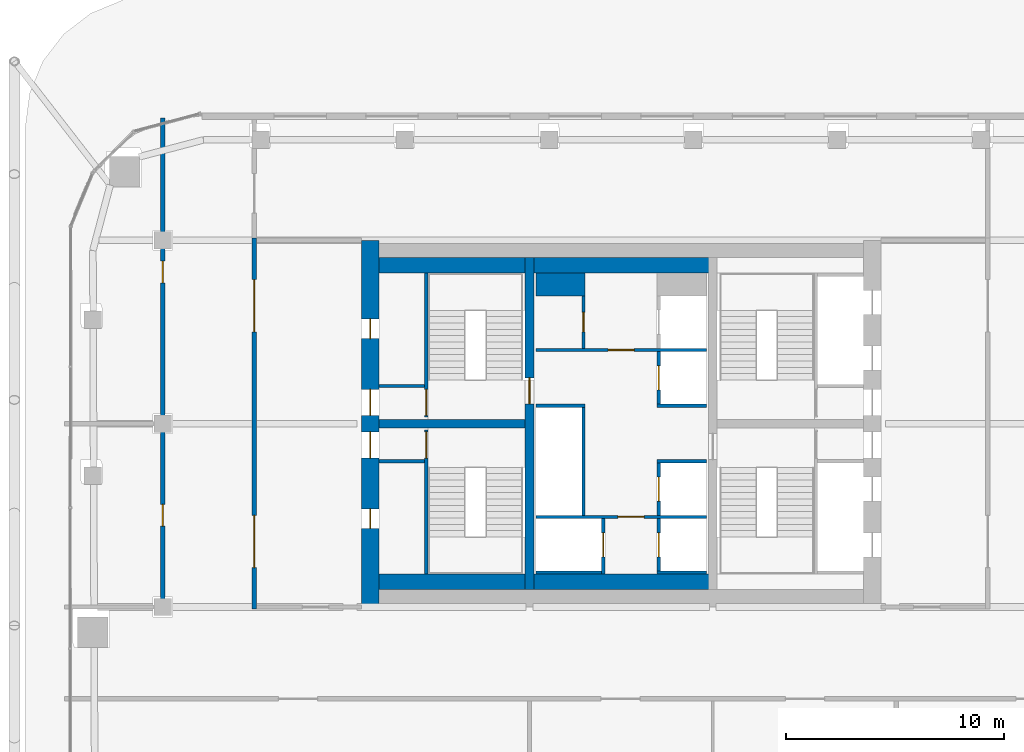
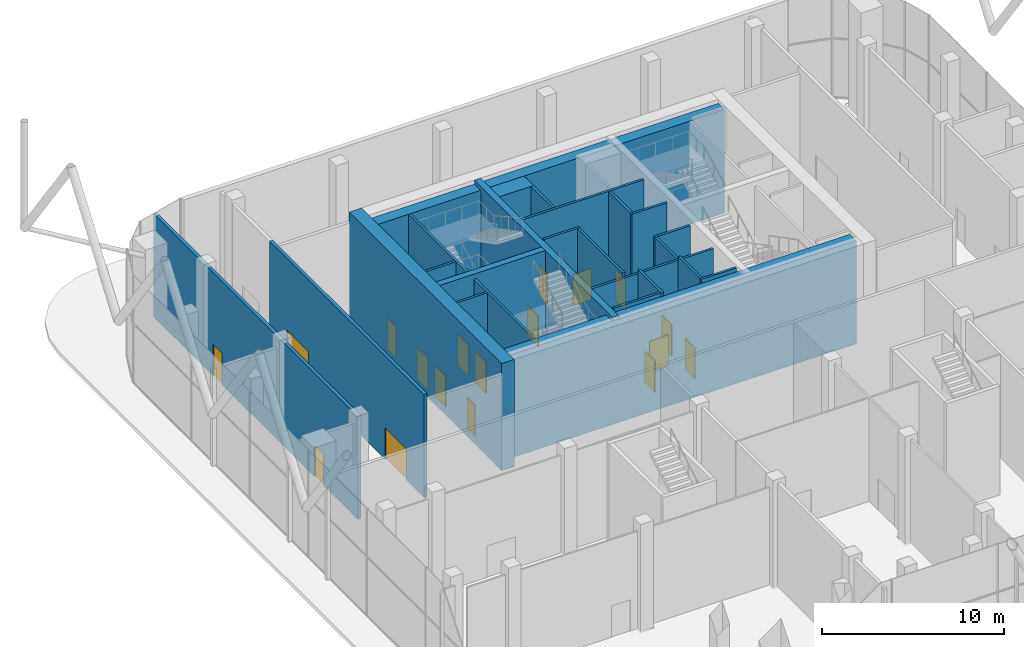
# One storey, part 20 of 25: 25 walls, 18 doors, 18 openings.
"""IFC4 building model written with IfcOpenShell, lengths in metres."""

from ifc_helpers import new_model, si_unit, direction, frame, frame_2d, origin, place, context, subcontext, project, spatial, rectangle, extrude, material, layer, layer_set, type_object, element, fill, save


model = new_model("IFC4")

# Units and contexts
model_context = context("Model", 3, precision=1e-05, world=origin(), true_north=direction((0.0, 1.0)))
body_context = subcontext(model_context, "Body", "Model", "MODEL_VIEW")
ifc_project = project(units=[si_unit("LENGTHUNIT", "METRE"), si_unit("AREAUNIT", "SQUARE_METRE"), si_unit("VOLUMEUNIT", "CUBIC_METRE"), si_unit("PLANEANGLEUNIT", "RADIAN"), si_unit("MASSUNIT", "GRAM", prefix="KILO")], contexts=[model_context])

# Site, building, storey
site_placement = place(None, origin())
site = spatial("IfcSite", under=ifc_project, at=site_placement, CompositionType="ELEMENT")
building_placement = place(site_placement, origin())
building = spatial("IfcBuilding", under=site, at=building_placement, Name="Marenta Gate Hotel Tower", CompositionType="ELEMENT")
storey_placement = place(building_placement, frame((0.0, 0.0, 180.5)))
storey = spatial("IfcBuildingStorey", under=building, at=storey_placement, Name="L41", CompositionType="ELEMENT", Elevation=180.5)

# Wall, openings, doors
ifc_material_1 = material(Name="Concrete blockwork", Category="masonry")
ifc_layer_1 = layer(ifc_material_1, 0.199951171875)
ifc_layer_set_1 = layer_set([ifc_layer_1], Name="Concrete blockwork")
wall_type_1 = type_object("IfcWallType", Name="Core boundary wall 200 REI 180", PredefinedType="PARTITIONING", material=ifc_layer_set_1)
wall_1_placement = place(storey_placement, frame((-16.800048828125, -0.10009765625, 0.0), z_axis=(0.0, 0.0, 1.0), x_axis=(0.0, 1.0, 0.0)))
wall_1 = element("IfcWall", 1, at=wall_1_placement, inside=storey, type_object=wall_type_1, Name="L41-CP-BW-W", PredefinedType="PARTITIONING", context=body_context, shape_type="SweptSolid", body=[
    extrude(rectangle(XDim=17.0, YDim=0.199951171875, at=frame_2d((8.5, 0.0))), origin(), (0.0, 0.0, 1.0), 6.93994140625),
])
opening_1_placement = place(wall_1_placement, frame((1.89990234375, 0.0, 0.0)))
opening_1 = element("IfcOpeningElement", 2, at=opening_1_placement, cuts=wall_1, Name="Opening ED-Wa-A", PredefinedType="OPENING", context=body_context, shape_type="SweptSolid", body=[
    extrude(rectangle(XDim=2.39990234375, YDim=2.10009765625, at=frame_2d((1.199951171875, 1.050048828125))), frame((0.0, 0.10009765625, 0.0), z_axis=(0.0, -1.0, 0.0), x_axis=(1.0, 0.0, 0.0)), (0.0, 0.0, 1.0), 0.199951171875),
])
opening_2_placement = place(wall_1_placement, frame((12.699951171875, 0.0, 0.0)))
opening_2 = element("IfcOpeningElement", 3, at=opening_2_placement, cuts=wall_1, Name="Opening ED-Wb-A", PredefinedType="OPENING", context=body_context, shape_type="SweptSolid", body=[
    extrude(rectangle(XDim=2.39990234375, YDim=2.10009765625, at=frame_2d((1.199951171875, 1.050048828125))), frame((0.0, 0.10009765625, 0.0), z_axis=(0.0, -1.0, 0.0), x_axis=(1.0, 0.0, 0.0)), (0.0, 0.0, 1.0), 0.199951171875),
])
ifc_material_2 = material(Name="Steel", Category="steel")
door_type_1 = type_object("IfcDoorType", Name="Core lobby entrance door 2400x2100 EI 60", OperationType="DOUBLE_DOOR_SINGLE_SWING", PredefinedType="DOOR", material=ifc_material_2)
door_1_placement = place(opening_1_placement, origin())
door_1 = element("IfcDoor", 4, at=door_1_placement, inside=storey, type_object=door_type_1, Name="ED-Wa-A", OperationType="DOUBLE_DOOR_SINGLE_SWING", OverallHeight=2.10009765625, OverallWidth=2.39990234375, PredefinedType="DOOR", context=body_context, shape_type="SweptSolid", body=[
    extrude(rectangle(XDim=2.39990234375, YDim=2.10009765625, at=frame_2d((1.199951171875, 1.050048828125))), frame((0.0, 0.02490234375, 0.0), z_axis=(0.0, -1.0, 0.0), x_axis=(1.0, 0.0, 0.0)), (0.0, 0.0, 1.0), 0.050048828125),
])
fill(opening_1, door_1)
door_2_placement = place(opening_2_placement, origin())
door_2 = element("IfcDoor", 5, at=door_2_placement, inside=storey, type_object=door_type_1, Name="ED-Wb-A", OperationType="DOUBLE_DOOR_SINGLE_SWING", OverallHeight=2.10009765625, OverallWidth=2.39990234375, PredefinedType="DOOR", context=body_context, shape_type="SweptSolid", body=[
    extrude(rectangle(XDim=2.39990234375, YDim=2.10009765625, at=frame_2d((1.199951171875, 1.050048828125))), frame((0.0, 0.02490234375, 0.0), z_axis=(0.0, -1.0, 0.0), x_axis=(1.0, 0.0, 0.0)), (0.0, 0.0, 1.0), 0.050048828125),
])
fill(opening_2, door_2)

# Walls
ifc_material_3 = material(Name="Concrete C40", Category="concrete")
ifc_layer_2 = layer(ifc_material_3, 0.699951171875)
ifc_layer_set_2 = layer_set([ifc_layer_2], Name="Concrete C40")
wall_type_2 = type_object("IfcWallType", Name="Core lining wall 700 REI 180", PredefinedType="PARTITIONING", material=ifc_layer_set_2)
for number, where, z_axis, x_axis, name in (
    (6, (-11.10009765625, 1.14990234375, 0.0), (0.0, 0.0, 1.0), (1.0, 0.0, 0.0), "L41-CP-LN-S"),
    (7, (-11.10009765625, 15.64990234375, 0.0), (0.0, 0.0, 1.0), (1.0, 0.0, 0.0), "L41-CP-LN-N"),
):
    element("IfcWall", number, at=place(storey_placement, frame(where, z_axis=z_axis, x_axis=x_axis)), inside=storey, type_object=wall_type_2, Name=name, PredefinedType="PARTITIONING", context=body_context, shape_type="SweptSolid", body=[
        extrude(rectangle(XDim=22.2001953125, YDim=0.699951171875, at=frame_2d((11.10009765625, 0.0))), origin(), (0.0, 0.0, 1.0), 6.93994140625),
    ])

# Wall, opening, door
ifc_material_4 = material(Name="Concrete blockwork", Category="masonry")
ifc_layer_3 = layer(ifc_material_4, 0.14990234375)
ifc_layer_set_3 = layer_set([ifc_layer_3], Name="Concrete blockwork")
wall_type_3 = type_object("IfcWallType", Name="Core lobby partition 150 REI 180", PredefinedType="PARTITIONING", material=ifc_layer_set_3)
wall_2_placement = place(storey_placement, frame((-3.89990234375, 4.125, 0.0), z_axis=(0.0, 0.0, 1.0), x_axis=(1.0, 0.0, 0.0)))
wall_2 = element("IfcWall", 8, at=wall_2_placement, inside=storey, type_object=wall_type_3, Name="L41-CP-CW-S", PredefinedType="PARTITIONING", context=body_context, shape_type="SweptSolid", body=[
    extrude(rectangle(XDim=7.7998046875, YDim=0.14990234375, at=frame_2d((3.89990234375, 0.0))), origin(), (0.0, 0.0, 1.0), 6.93994140625),
])
opening_3_placement = place(wall_2_placement, frame((3.75, 0.0, 0.0)))
opening_3 = element("IfcOpeningElement", 9, at=opening_3_placement, cuts=wall_2, Name="Opening FD-FFS", PredefinedType="OPENING", context=body_context, shape_type="SweptSolid", body=[
    extrude(rectangle(XDim=1.199951171875, YDim=2.10009765625, at=frame_2d((0.60009765625, 1.050048828125))), frame((0.0, 0.074951171875, 0.0), z_axis=(0.0, -1.0, 0.0), x_axis=(1.0, 0.0, 0.0)), (0.0, 0.0, 1.0), 0.14990234375),
])
ifc_material_5 = material(Name="Steel", Category="steel")
door_type_2 = type_object("IfcDoorType", Name="Core lobby door 1200x2100 FD60", OperationType="SINGLE_SWING_LEFT", PredefinedType="DOOR", material=ifc_material_5)
door_3_placement = place(opening_3_placement, origin())
door_3 = element("IfcDoor", 10, at=door_3_placement, inside=storey, type_object=door_type_2, Name="FD-FFS", OperationType="SINGLE_SWING_LEFT", OverallHeight=2.10009765625, OverallWidth=1.199951171875, PredefinedType="DOOR", context=body_context, shape_type="SweptSolid", body=[
    extrude(rectangle(XDim=1.199951171875, YDim=2.10009765625, at=frame_2d((0.60009765625, 1.050048828125))), frame((0.0, 0.02490234375, 0.0), z_axis=(0.0, -1.0, 0.0), x_axis=(1.0, 0.0, 0.0)), (0.0, 0.0, 1.0), 0.050048828125),
])
fill(opening_3, door_3)

wall_3_placement = place(storey_placement, frame((-3.89990234375, 11.77490234375, 0.0), z_axis=(0.0, 0.0, 1.0), x_axis=(1.0, 0.0, 0.0)))
wall_3 = element("IfcWall", 11, at=wall_3_placement, inside=storey, type_object=wall_type_3, Name="L41-CP-CW-N", PredefinedType="PARTITIONING", context=body_context, shape_type="SweptSolid", body=[
    extrude(rectangle(XDim=7.7998046875, YDim=0.14990234375, at=frame_2d((3.89990234375, 0.0))), origin(), (0.0, 0.0, 1.0), 6.93994140625),
])
opening_4_placement = place(wall_3_placement, frame((3.300048828125, 0.0, 0.0)))
opening_4 = element("IfcOpeningElement", 12, at=opening_4_placement, cuts=wall_3, Name="Opening FD-FFN", PredefinedType="OPENING", context=body_context, shape_type="SweptSolid", body=[
    extrude(rectangle(XDim=1.199951171875, YDim=2.10009765625, at=frame_2d((0.60009765625, 1.050048828125))), frame((0.0, 0.074951171875, 0.0), z_axis=(0.0, -1.0, 0.0), x_axis=(1.0, 0.0, 0.0)), (0.0, 0.0, 1.0), 0.14990234375),
])
door_4_placement = place(opening_4_placement, origin())
door_4 = element("IfcDoor", 13, at=door_4_placement, inside=storey, type_object=door_type_2, Name="FD-FFN", OperationType="SINGLE_SWING_LEFT", OverallHeight=2.10009765625, OverallWidth=1.199951171875, PredefinedType="DOOR", context=body_context, shape_type="SweptSolid", body=[
    extrude(rectangle(XDim=1.199951171875, YDim=2.10009765625, at=frame_2d((0.60009765625, 1.050048828125))), frame((0.0, 0.02490234375, 0.0), z_axis=(0.0, -1.0, 0.0), x_axis=(1.0, 0.0, 0.0)), (0.0, 0.0, 1.0), 0.050048828125),
])
fill(opening_4, door_4)

# Walls
ifc_material_6 = material(Name="Concrete blockwork", Category="masonry")
ifc_layer_4 = layer(ifc_material_6, 1.050048828125)
ifc_layer_set_4 = layer_set([ifc_layer_4], Name="Concrete blockwork")
wall_type_4 = type_object("IfcWallType", Name="Core room partition 1050 REI 180", PredefinedType="PARTITIONING", material=ifc_layer_set_4)
wall_4_placement = place(storey_placement, frame((-3.89990234375, 14.77490234375, 0.0), z_axis=(0.0, 0.0, 1.0), x_axis=(1.0, 0.0, 0.0)))
element("IfcWall", 14, at=wall_4_placement, inside=storey, type_object=wall_type_4, Name="L41-CP-CW-W-riser-N", PredefinedType="PARTITIONING", context=body_context, shape_type="SweptSolid", body=[
    extrude(rectangle(XDim=2.25, YDim=1.050048828125, at=frame_2d((1.125, 0.0))), origin(), (0.0, 0.0, 1.0), 6.93994140625),
])
ifc_material_7 = material(Name="Concrete blockwork", Category="masonry")
ifc_layer_5 = layer(ifc_material_7, 0.14990234375)
ifc_layer_set_5 = layer_set([ifc_layer_5], Name="Concrete blockwork")
wall_type_5 = type_object("IfcWallType", Name="Core room partition 150 REI 180", PredefinedType="PARTITIONING", material=ifc_layer_set_5)
for number, where, z_axis, x_axis, name in (
    (15, (-11.10009765625, 6.675048828125, 0.0), (0.0, 0.0, 1.0), (1.0, 0.0, 0.0), "L41-CP-SW-WS-2"),
    (16, (-11.10009765625, 10.125, 0.0), (0.0, 0.0, 1.0), (1.0, 0.0, 0.0), "L41-CP-SW-WN-2"),
):
    element("IfcWall", number, at=place(storey_placement, frame(where, z_axis=z_axis, x_axis=x_axis)), inside=storey, type_object=wall_type_5, Name=name, PredefinedType="PARTITIONING", context=body_context, shape_type="SweptSolid", body=[
        extrude(rectangle(XDim=2.10009765625, YDim=0.14990234375, at=frame_2d((1.050048828125, 0.0))), origin(), (0.0, 0.0, 1.0), 6.93994140625),
    ])

# Wall, opening, door
wall_5_placement = place(storey_placement, frame((-1.72509765625, 11.85009765625, 0.0), z_axis=(0.0, 0.0, 1.0), x_axis=(0.0, 1.0, 0.0)))
wall_5 = element("IfcWall", 17, at=wall_5_placement, inside=storey, type_object=wall_type_5, Name="L41-CP-CW-W-riser-front", PredefinedType="PARTITIONING", context=body_context, shape_type="SweptSolid", body=[
    extrude(rectangle(XDim=2.39990234375, YDim=0.14990234375, at=frame_2d((1.199951171875, 0.0))), origin(), (0.0, 0.0, 1.0), 6.93994140625),
])
opening_5_placement = place(wall_5_placement, frame((0.75, 0.0, 0.0)))
opening_5 = element("IfcOpeningElement", 18, at=opening_5_placement, cuts=wall_5, Name="Opening RD-CRISER", PredefinedType="OPENING", context=body_context, shape_type="SweptSolid", body=[
    extrude(rectangle(XDim=0.89990234375, YDim=2.10009765625, at=frame_2d((0.449951171875, 1.050048828125))), frame((0.0, 0.074951171875, 0.0), z_axis=(0.0, -1.0, 0.0), x_axis=(1.0, 0.0, 0.0)), (0.0, 0.0, 1.0), 0.14990234375),
])
ifc_material_8 = material(Name="Steel", Category="steel")
door_type_3 = type_object("IfcDoorType", Name="Core riser door 900x2100 FD60", OperationType="SINGLE_SWING_LEFT", PredefinedType="DOOR", material=ifc_material_8)
door_5_placement = place(opening_5_placement, origin())
door_5 = element("IfcDoor", 19, at=door_5_placement, inside=storey, type_object=door_type_3, Name="RD-CRISER", OperationType="SINGLE_SWING_LEFT", OverallHeight=2.10009765625, OverallWidth=0.89990234375, PredefinedType="DOOR", context=body_context, shape_type="SweptSolid", body=[
    extrude(rectangle(XDim=0.89990234375, YDim=2.10009765625, at=frame_2d((0.449951171875, 1.050048828125))), frame((0.0, 0.02490234375, 0.0), z_axis=(0.0, -1.0, 0.0), x_axis=(1.0, 0.0, 0.0)), (0.0, 0.0, 1.0), 0.050048828125),
])
fill(opening_5, door_5)

ifc_material_9 = material(Name="Concrete C40", Category="concrete")
ifc_layer_6 = layer(ifc_material_9, 0.14990234375)
ifc_layer_set_6 = layer_set([ifc_layer_6], Name="Concrete C40")
wall_type_6 = type_object("IfcWallType", Name="Core shaft wall 150 REI 180", PredefinedType="SHEAR", material=ifc_layer_set_6)
wall_6_placement = place(storey_placement, frame((-0.824951171875, 1.5, 0.0), z_axis=(0.0, 0.0, 1.0), x_axis=(0.0, 1.0, 0.0)))
wall_6 = element("IfcWall", 20, at=wall_6_placement, inside=storey, type_object=wall_type_6, Name="L41-SHF-CW-W-ff", PredefinedType="SHEAR", context=body_context, shape_type="SweptSolid", body=[
    extrude(rectangle(XDim=2.550048828125, YDim=0.14990234375, at=frame_2d((1.27490234375, 0.0))), origin(), (0.0, 0.0, 1.0), 7.199951171875),
])
opening_6_placement = place(wall_6_placement, frame((0.800048828125, 0.0, 0.0)))
opening_6 = element("IfcOpeningElement", 21, at=opening_6_placement, cuts=wall_6, Name="Opening LD-FF1", PredefinedType="OPENING", context=body_context, shape_type="SweptSolid", body=[
    extrude(rectangle(XDim=1.10009765625, YDim=2.10009765625, at=frame_2d((0.550048828125, 1.050048828125))), frame((0.0, 0.074951171875, 0.0), z_axis=(0.0, -1.0, 0.0), x_axis=(1.0, 0.0, 0.0)), (0.0, 0.0, 1.0), 0.14990234375),
])
ifc_material_10 = material(Name="Steel", Category="steel")
door_type_4 = type_object("IfcDoorType", Name="Core lift landing door 1100x2100 E 60", OperationType="SLIDING_TO_LEFT", PredefinedType="DOOR", material=ifc_material_10)
door_6_placement = place(opening_6_placement, origin())
door_6 = element("IfcDoor", 22, at=door_6_placement, inside=storey, type_object=door_type_4, Name="LD-FF1", OperationType="SLIDING_TO_LEFT", OverallHeight=2.10009765625, OverallWidth=1.10009765625, PredefinedType="DOOR", context=body_context, shape_type="SweptSolid", body=[
    extrude(rectangle(XDim=1.10009765625, YDim=2.10009765625, at=frame_2d((0.550048828125, 1.050048828125))), frame((0.0, 0.02490234375, 0.0), z_axis=(0.0, -1.0, 0.0), x_axis=(1.0, 0.0, 0.0)), (0.0, 0.0, 1.0), 0.050048828125),
])
fill(opening_6, door_6)

# Walls
wall_7_placement = place(storey_placement, frame((-3.89990234375, 1.574951171875, 0.0), z_axis=(0.0, 0.0, 1.0), x_axis=(1.0, 0.0, 0.0)))
element("IfcWall", 23, at=wall_7_placement, inside=storey, type_object=wall_type_6, Name="L41-SHF-CW-W-ffs", PredefinedType="SHEAR", context=body_context, shape_type="SweptSolid", body=[
    extrude(rectangle(XDim=3.0, YDim=0.14990234375, at=frame_2d((1.5, 0.0))), origin(), (0.0, 0.0, 1.0), 7.199951171875),
])
wall_8_placement = place(storey_placement, frame((-1.72509765625, 4.199951171875, 0.0), z_axis=(0.0, 0.0, 1.0), x_axis=(0.0, 1.0, 0.0)))
element("IfcWall", 24, at=wall_8_placement, inside=storey, type_object=wall_type_6, Name="L41-SHF-CW-W-front", PredefinedType="SHEAR", context=body_context, shape_type="SweptSolid", body=[
    extrude(rectangle(XDim=4.949951171875, YDim=0.14990234375, at=frame_2d((2.47509765625, 0.0))), origin(), (0.0, 0.0, 1.0), 7.199951171875),
])
wall_9_placement = place(storey_placement, frame((-3.89990234375, 9.22509765625, 0.0), z_axis=(0.0, 0.0, 1.0), x_axis=(1.0, 0.0, 0.0)))
element("IfcWall", 25, at=wall_9_placement, inside=storey, type_object=wall_type_6, Name="L41-SHF-CW-W-sep", PredefinedType="SHEAR", context=body_context, shape_type="SweptSolid", body=[
    extrude(rectangle(XDim=2.25, YDim=0.14990234375, at=frame_2d((1.125, 0.0))), origin(), (0.0, 0.0, 1.0), 7.199951171875),
])

# Wall, opening, door
wall_10_placement = place(storey_placement, frame((1.72509765625, 1.64990234375, 0.0), z_axis=(0.0, 0.0, 1.0), x_axis=(0.0, 1.0, 0.0)))
wall_10 = element("IfcWall", 26, at=wall_10_placement, inside=storey, type_object=wall_type_6, Name="L41-SHF-CE-S-ls", PredefinedType="SHEAR", context=body_context, shape_type="SweptSolid", body=[
    extrude(rectangle(XDim=2.400146484375, YDim=0.14990234375, at=frame_2d((1.2001953125, 0.0))), origin(), (0.0, 0.0, 1.0), 7.199951171875),
])
opening_7_placement = place(wall_10_placement, frame((0.64990234375, 0.0, 0.0)))
opening_7 = element("IfcOpeningElement", 27, at=opening_7_placement, cuts=wall_10, Name="Opening LD-SV1", PredefinedType="OPENING", context=body_context, shape_type="SweptSolid", body=[
    extrude(rectangle(XDim=1.10009765625, YDim=2.10009765625, at=frame_2d((0.550048828125, 1.050048828125))), frame((0.0, 0.074951171875, 0.0), z_axis=(0.0, -1.0, 0.0), x_axis=(1.0, 0.0, 0.0)), (0.0, 0.0, 1.0), 0.14990234375),
])
door_7_placement = place(opening_7_placement, origin())
door_7 = element("IfcDoor", 28, at=door_7_placement, inside=storey, type_object=door_type_4, Name="LD-SV1", OperationType="SLIDING_TO_LEFT", OverallHeight=2.10009765625, OverallWidth=1.10009765625, PredefinedType="DOOR", context=body_context, shape_type="SweptSolid", body=[
    extrude(rectangle(XDim=1.10009765625, YDim=2.10009765625, at=frame_2d((0.550048828125, 1.050048828125))), frame((0.0, 0.02490234375, 0.0), z_axis=(0.0, -1.0, 0.0), x_axis=(1.0, 0.0, 0.0)), (0.0, 0.0, 1.0), 0.050048828125),
])
fill(opening_7, door_7)

# Walls
wall_11_placement = place(storey_placement, frame((1.64990234375, 1.574951171875, 0.0), z_axis=(0.0, 0.0, 1.0), x_axis=(1.0, 0.0, 0.0)))
element("IfcWall", 29, at=wall_11_placement, inside=storey, type_object=wall_type_6, Name="L41-SHF-CE-S-bot", PredefinedType="SHEAR", context=body_context, shape_type="SweptSolid", body=[
    extrude(rectangle(XDim=2.25, YDim=0.14990234375, at=frame_2d((1.125, 0.0))), origin(), (0.0, 0.0, 1.0), 7.199951171875),
])
for number, where, z_axis, x_axis, name in (
    (30, (1.64990234375, 6.675048828125, 0.0), (0.0, 0.0, 1.0), (1.0, 0.0, 0.0), "L41-SHF-CE-sep1"),
    (31, (1.64990234375, 9.22509765625, 0.0), (0.0, 0.0, 1.0), (1.0, 0.0, 0.0), "L41-SHF-CE-sep2"),
):
    element("IfcWall", number, at=place(storey_placement, frame(where, z_axis=z_axis, x_axis=x_axis)), inside=storey, type_object=wall_type_6, Name=name, PredefinedType="SHEAR", context=body_context, shape_type="SweptSolid", body=[
        extrude(rectangle(XDim=2.25, YDim=0.14990234375, at=frame_2d((1.125, 0.0))), origin(), (0.0, 0.0, 1.0), 6.93994140625),
    ])

# Wall, opening, door
wall_12_placement = place(storey_placement, frame((1.72509765625, 4.199951171875, 0.0), z_axis=(0.0, 0.0, 1.0), x_axis=(0.0, 1.0, 0.0)))
wall_12 = element("IfcWall", 32, at=wall_12_placement, inside=storey, type_object=wall_type_6, Name="L41-SHF-CE-front-1", PredefinedType="SHEAR", context=body_context, shape_type="SweptSolid", body=[
    extrude(rectangle(XDim=2.400146484375, YDim=0.14990234375, at=frame_2d((1.2001953125, 0.0))), origin(), (0.0, 0.0, 1.0), 6.93994140625),
])
opening_8_placement = place(wall_12_placement, frame((0.64990234375, 0.0, 0.0)))
opening_8 = element("IfcOpeningElement", 33, at=opening_8_placement, cuts=wall_12, Name="Opening LD-SH1", PredefinedType="OPENING", context=body_context, shape_type="SweptSolid", body=[
    extrude(rectangle(XDim=1.10009765625, YDim=2.10009765625, at=frame_2d((0.550048828125, 1.050048828125))), frame((0.0, 0.074951171875, 0.0), z_axis=(0.0, -1.0, 0.0), x_axis=(1.0, 0.0, 0.0)), (0.0, 0.0, 1.0), 0.14990234375),
])
door_8_placement = place(opening_8_placement, origin())
door_8 = element("IfcDoor", 34, at=door_8_placement, inside=storey, type_object=door_type_4, Name="LD-SH1", OperationType="SLIDING_TO_LEFT", OverallHeight=2.10009765625, OverallWidth=1.10009765625, PredefinedType="DOOR", context=body_context, shape_type="SweptSolid", body=[
    extrude(rectangle(XDim=1.10009765625, YDim=2.10009765625, at=frame_2d((0.550048828125, 1.050048828125))), frame((0.0, 0.02490234375, 0.0), z_axis=(0.0, -1.0, 0.0), x_axis=(1.0, 0.0, 0.0)), (0.0, 0.0, 1.0), 0.050048828125),
])
fill(opening_8, door_8)

wall_13_placement = place(storey_placement, frame((1.72509765625, 9.300048828125, 0.0), z_axis=(0.0, 0.0, 1.0), x_axis=(0.0, 1.0, 0.0)))
wall_13 = element("IfcWall", 35, at=wall_13_placement, inside=storey, type_object=wall_type_6, Name="L41-SHF-CE-front-2", PredefinedType="SHEAR", context=body_context, shape_type="SweptSolid", body=[
    extrude(rectangle(XDim=2.39990234375, YDim=0.14990234375, at=frame_2d((1.199951171875, 0.0))), origin(), (0.0, 0.0, 1.0), 6.93994140625),
])
opening_9_placement = place(wall_13_placement, frame((0.64990234375, 0.0, 0.0)))
opening_9 = element("IfcOpeningElement", 36, at=opening_9_placement, cuts=wall_13, Name="Opening LD-SH2", PredefinedType="OPENING", context=body_context, shape_type="SweptSolid", body=[
    extrude(rectangle(XDim=1.10009765625, YDim=2.10009765625, at=frame_2d((0.550048828125, 1.050048828125))), frame((0.0, 0.074951171875, 0.0), z_axis=(0.0, -1.0, 0.0), x_axis=(1.0, 0.0, 0.0)), (0.0, 0.0, 1.0), 0.14990234375),
])
door_9_placement = place(opening_9_placement, origin())
door_9 = element("IfcDoor", 37, at=door_9_placement, inside=storey, type_object=door_type_4, Name="LD-SH2", OperationType="SLIDING_TO_LEFT", OverallHeight=2.10009765625, OverallWidth=1.10009765625, PredefinedType="DOOR", context=body_context, shape_type="SweptSolid", body=[
    extrude(rectangle(XDim=1.10009765625, YDim=2.10009765625, at=frame_2d((0.550048828125, 1.050048828125))), frame((0.0, 0.02490234375, 0.0), z_axis=(0.0, -1.0, 0.0), x_axis=(1.0, 0.0, 0.0)), (0.0, 0.0, 1.0), 0.050048828125),
])
fill(opening_9, door_9)

ifc_material_11 = material(Name="Concrete C40", Category="concrete")
ifc_layer_7 = layer(ifc_material_11, 0.14990234375)
ifc_layer_set_7 = layer_set([ifc_layer_7], Name="Concrete C40")
wall_type_7 = type_object("IfcWallType", Name="Core stair enclosure wall 150 REI 180", PredefinedType="SHEAR", material=ifc_layer_set_7)
wall_14_placement = place(storey_placement, frame((-8.925048828125, 1.5, 0.0), z_axis=(0.0, 0.0, 1.0), x_axis=(0.0, 1.0, 0.0)))
wall_14 = element("IfcWall", 38, at=wall_14_placement, inside=storey, type_object=wall_type_7, Name="L41-SHF-SW-WS-3", PredefinedType="SHEAR", context=body_context, shape_type="SweptSolid", body=[
    extrude(rectangle(XDim=6.60009765625, YDim=0.14990234375, at=frame_2d((3.300048828125, 0.0))), origin(), (0.0, 0.0, 1.0), 6.93994140625),
])
opening_10_placement = place(wall_14_placement, frame((5.324951171875, 0.0, 0.0)))
opening_10 = element("IfcOpeningElement", 39, at=opening_10_placement, cuts=wall_14, Name="Opening SD-WS", PredefinedType="OPENING", context=body_context, shape_type="SweptSolid", body=[
    extrude(rectangle(XDim=1.199951171875, YDim=2.10009765625, at=frame_2d((0.60009765625, 1.050048828125))), frame((0.0, 0.074951171875, 0.0), z_axis=(0.0, -1.0, 0.0), x_axis=(1.0, 0.0, 0.0)), (0.0, 0.0, 1.0), 0.14990234375),
])
ifc_material_12 = material(Name="Steel", Category="steel")
door_type_5 = type_object("IfcDoorType", Name="Core stair door 1200x2100 FD60", OperationType="SINGLE_SWING_LEFT", PredefinedType="DOOR", material=ifc_material_12)
door_10_placement = place(opening_10_placement, origin())
door_10 = element("IfcDoor", 40, at=door_10_placement, inside=storey, type_object=door_type_5, Name="SD-WS", OperationType="SINGLE_SWING_LEFT", OverallHeight=2.10009765625, OverallWidth=1.199951171875, PredefinedType="DOOR", context=body_context, shape_type="SweptSolid", body=[
    extrude(rectangle(XDim=1.199951171875, YDim=2.10009765625, at=frame_2d((0.60009765625, 1.050048828125))), frame((0.0, 0.02490234375, 0.0), z_axis=(0.0, -1.0, 0.0), x_axis=(1.0, 0.0, 0.0)), (0.0, 0.0, 1.0), 0.050048828125),
])
fill(opening_10, door_10)

wall_15_placement = place(storey_placement, frame((-8.925048828125, 8.699951171875, 0.0), z_axis=(0.0, 0.0, 1.0), x_axis=(0.0, 1.0, 0.0)))
wall_15 = element("IfcWall", 41, at=wall_15_placement, inside=storey, type_object=wall_type_7, Name="L41-SHF-SW-WN-3", PredefinedType="SHEAR", context=body_context, shape_type="SweptSolid", body=[
    extrude(rectangle(XDim=6.60009765625, YDim=0.14990234375, at=frame_2d((3.300048828125, 0.0))), origin(), (0.0, 0.0, 1.0), 6.93994140625),
])
opening_11_placement = place(wall_15_placement, frame((0.074951171875, 0.0, 0.0)))
opening_11 = element("IfcOpeningElement", 42, at=opening_11_placement, cuts=wall_15, Name="Opening SD-WN", PredefinedType="OPENING", context=body_context, shape_type="SweptSolid", body=[
    extrude(rectangle(XDim=1.199951171875, YDim=2.10009765625, at=frame_2d((0.60009765625, 1.050048828125))), frame((0.0, 0.074951171875, 0.0), z_axis=(0.0, -1.0, 0.0), x_axis=(1.0, 0.0, 0.0)), (0.0, 0.0, 1.0), 0.14990234375),
])
door_11_placement = place(opening_11_placement, origin())
door_11 = element("IfcDoor", 43, at=door_11_placement, inside=storey, type_object=door_type_5, Name="SD-WN", OperationType="SINGLE_SWING_LEFT", OverallHeight=2.10009765625, OverallWidth=1.199951171875, PredefinedType="DOOR", context=body_context, shape_type="SweptSolid", body=[
    extrude(rectangle(XDim=1.199951171875, YDim=2.10009765625, at=frame_2d((0.60009765625, 1.050048828125))), frame((0.0, 0.02490234375, 0.0), z_axis=(0.0, -1.0, 0.0), x_axis=(1.0, 0.0, 0.0)), (0.0, 0.0, 1.0), 0.050048828125),
])
fill(opening_11, door_11)

# Wall, openings, doors
ifc_material_13 = material(Name="Concrete C60", Category="concrete")
ifc_layer_8 = layer(ifc_material_13, 0.800048828125)
ifc_layer_set_8 = layer_set([ifc_layer_8], Name="Concrete C60")
wall_type_8 = type_object("IfcWallType", Name="Core wall 800 C60", PredefinedType="SHEAR", material=ifc_layer_set_8)
wall_16_placement = place(storey_placement, frame((-11.5, 0.0, 0.0), z_axis=(0.0, 0.0, 1.0), x_axis=(0.0, 1.0, 0.0)))
wall_16 = element("IfcWall", 44, at=wall_16_placement, inside=storey, type_object=wall_type_8, Name="L41-CORE-W", PredefinedType="SHEAR", context=body_context, shape_type="SweptSolid", body=[
    extrude(rectangle(XDim=16.800048828125, YDim=0.800048828125, at=frame_2d((8.39990234375, 0.0))), origin(), (0.0, 0.0, 1.0), 7.199951171875),
])
opening_12_placement = place(wall_16_placement, frame((3.60009765625, 0.0, 0.0)))
opening_12 = element("IfcOpeningElement", 45, at=opening_12_placement, cuts=wall_16, Name="Opening RD-WS-1", PredefinedType="OPENING", context=body_context, shape_type="SweptSolid", body=[
    extrude(rectangle(XDim=0.89990234375, YDim=2.10009765625, at=frame_2d((0.449951171875, 1.050048828125))), frame((0.0, 0.39990234375, 0.0), z_axis=(0.0, -1.0, 0.0), x_axis=(1.0, 0.0, 0.0)), (0.0, 0.0, 1.0), 0.800048828125),
])
opening_13_placement = place(wall_16_placement, frame((6.824951171875, 0.0, 0.0)))
opening_13 = element("IfcOpeningElement", 46, at=opening_13_placement, cuts=wall_16, Name="Opening PD-WS", PredefinedType="OPENING", context=body_context, shape_type="SweptSolid", body=[
    extrude(rectangle(XDim=1.199951171875, YDim=2.10009765625, at=frame_2d((0.60009765625, 1.050048828125))), frame((0.0, 0.39990234375, 0.0), z_axis=(0.0, -1.0, 0.0), x_axis=(1.0, 0.0, 0.0)), (0.0, 0.0, 1.0), 0.800048828125),
])
opening_14_placement = place(wall_16_placement, frame((12.300048828125, 0.0, 0.0)))
opening_14 = element("IfcOpeningElement", 47, at=opening_14_placement, cuts=wall_16, Name="Opening RD-WN-1", PredefinedType="OPENING", context=body_context, shape_type="SweptSolid", body=[
    extrude(rectangle(XDim=0.89990234375, YDim=2.10009765625, at=frame_2d((0.449951171875, 1.050048828125))), frame((0.0, 0.39990234375, 0.0), z_axis=(0.0, -1.0, 0.0), x_axis=(1.0, 0.0, 0.0)), (0.0, 0.0, 1.0), 0.800048828125),
])
opening_15_placement = place(wall_16_placement, frame((8.77490234375, 0.0, 0.0)))
opening_15 = element("IfcOpeningElement", 48, at=opening_15_placement, cuts=wall_16, Name="Opening PD-WN", PredefinedType="OPENING", context=body_context, shape_type="SweptSolid", body=[
    extrude(rectangle(XDim=1.199951171875, YDim=2.10009765625, at=frame_2d((0.60009765625, 1.050048828125))), frame((0.0, 0.39990234375, 0.0), z_axis=(0.0, -1.0, 0.0), x_axis=(1.0, 0.0, 0.0)), (0.0, 0.0, 1.0), 0.800048828125),
])
door_12_placement = place(opening_13_placement, origin())
door_12 = element("IfcDoor", 49, at=door_12_placement, inside=storey, type_object=door_type_2, Name="PD-WS", OperationType="SINGLE_SWING_LEFT", OverallHeight=2.10009765625, OverallWidth=1.199951171875, PredefinedType="DOOR", context=body_context, shape_type="SweptSolid", body=[
    extrude(rectangle(XDim=1.199951171875, YDim=2.10009765625, at=frame_2d((0.60009765625, 1.050048828125))), frame((0.0, 0.02490234375, 0.0), z_axis=(0.0, -1.0, 0.0), x_axis=(1.0, 0.0, 0.0)), (0.0, 0.0, 1.0), 0.050048828125),
])
fill(opening_13, door_12)
door_13_placement = place(opening_15_placement, origin())
door_13 = element("IfcDoor", 50, at=door_13_placement, inside=storey, type_object=door_type_2, Name="PD-WN", OperationType="SINGLE_SWING_LEFT", OverallHeight=2.10009765625, OverallWidth=1.199951171875, PredefinedType="DOOR", context=body_context, shape_type="SweptSolid", body=[
    extrude(rectangle(XDim=1.199951171875, YDim=2.10009765625, at=frame_2d((0.60009765625, 1.050048828125))), frame((0.0, 0.02490234375, 0.0), z_axis=(0.0, -1.0, 0.0), x_axis=(1.0, 0.0, 0.0)), (0.0, 0.0, 1.0), 0.050048828125),
])
fill(opening_15, door_13)
ifc_material_14 = material(Name="Steel", Category="steel")
door_type_6 = type_object("IfcDoorType", Name="Core service room door 900x2100 FD30S", OperationType="SINGLE_SWING_LEFT", PredefinedType="DOOR", material=ifc_material_14)
door_14_placement = place(opening_12_placement, origin())
door_14 = element("IfcDoor", 51, at=door_14_placement, inside=storey, type_object=door_type_6, Name="RD-WS-1", OperationType="SINGLE_SWING_LEFT", OverallHeight=2.10009765625, OverallWidth=0.89990234375, PredefinedType="DOOR", context=body_context, shape_type="SweptSolid", body=[
    extrude(rectangle(XDim=0.89990234375, YDim=2.10009765625, at=frame_2d((0.449951171875, 1.050048828125))), frame((0.0, 0.02490234375, 0.0), z_axis=(0.0, -1.0, 0.0), x_axis=(1.0, 0.0, 0.0)), (0.0, 0.0, 1.0), 0.050048828125),
])
fill(opening_12, door_14)
door_15_placement = place(opening_14_placement, origin())
door_15 = element("IfcDoor", 52, at=door_15_placement, inside=storey, type_object=door_type_6, Name="RD-WN-1", OperationType="SINGLE_SWING_LEFT", OverallHeight=2.10009765625, OverallWidth=0.89990234375, PredefinedType="DOOR", context=body_context, shape_type="SweptSolid", body=[
    extrude(rectangle(XDim=0.89990234375, YDim=2.10009765625, at=frame_2d((0.449951171875, 1.050048828125))), frame((0.0, 0.02490234375, 0.0), z_axis=(0.0, -1.0, 0.0), x_axis=(1.0, 0.0, 0.0)), (0.0, 0.0, 1.0), 0.050048828125),
])
fill(opening_14, door_15)

# Wall, opening, door
ifc_material_15 = material(Name="Concrete C60", Category="concrete")
ifc_layer_9 = layer(ifc_material_15, 0.39990234375)
ifc_layer_set_9 = layer_set([ifc_layer_9], Name="Concrete C60")
wall_type_9 = type_object("IfcWallType", Name="Core web 400 C60", PredefinedType="SHEAR", material=ifc_layer_set_9)
wall_17_placement = place(storey_placement, frame((-4.199951171875, 0.800048828125, 0.0), z_axis=(0.0, 0.0, 1.0), x_axis=(0.0, 1.0, 0.0)))
wall_17 = element("IfcWall", 53, at=wall_17_placement, inside=storey, type_object=wall_type_9, Name="L41-CORE-W1", PredefinedType="SHEAR", context=body_context, shape_type="SweptSolid", body=[
    extrude(rectangle(XDim=15.199951171875, YDim=0.39990234375, at=frame_2d((7.60009765625, 0.0))), origin(), (0.0, 0.0, 1.0), 7.199951171875),
])
opening_16_placement = place(wall_17_placement, frame((8.5, 0.0, 0.0)))
opening_16 = element("IfcOpeningElement", 54, at=opening_16_placement, cuts=wall_17, Name="Opening WD-W", PredefinedType="OPENING", context=body_context, shape_type="SweptSolid", body=[
    extrude(rectangle(XDim=1.199951171875, YDim=2.10009765625, at=frame_2d((0.60009765625, 1.050048828125))), frame((0.0, 0.199951171875, 0.0), z_axis=(0.0, -1.0, 0.0), x_axis=(1.0, 0.0, 0.0)), (0.0, 0.0, 1.0), 0.39990234375),
])
door_16_placement = place(opening_16_placement, origin())
door_16 = element("IfcDoor", 55, at=door_16_placement, inside=storey, type_object=door_type_5, Name="WD-W", OperationType="SINGLE_SWING_LEFT", OverallHeight=2.10009765625, OverallWidth=1.199951171875, PredefinedType="DOOR", context=body_context, shape_type="SweptSolid", body=[
    extrude(rectangle(XDim=1.199951171875, YDim=2.10009765625, at=frame_2d((0.60009765625, 1.050048828125))), frame((0.0, 0.02490234375, 0.0), z_axis=(0.0, -1.0, 0.0), x_axis=(1.0, 0.0, 0.0)), (0.0, 0.0, 1.0), 0.050048828125),
])
fill(opening_16, door_16)

# Wall
wall_18_placement = place(storey_placement, frame((-11.10009765625, 8.39990234375, 0.0), z_axis=(0.0, 0.0, 1.0), x_axis=(1.0, 0.0, 0.0)))
element("IfcWall", 56, at=wall_18_placement, inside=storey, type_object=wall_type_9, Name="L41-CORE-W3", PredefinedType="SHEAR", context=body_context, shape_type="SweptSolid", body=[
    extrude(rectangle(XDim=6.7001953125, YDim=0.39990234375, at=frame_2d((3.35009765625, 0.0))), origin(), (0.0, 0.0, 1.0), 7.199951171875),
])

# Wall, openings, doors
ifc_material_16 = material(Name="Gypsum board on steel stud", Category="steel")
ifc_layer_10 = layer(ifc_material_16, 0.199951171875)
ifc_layer_set_10 = layer_set([ifc_layer_10], Name="Gypsum board on steel stud")
wall_type_10 = type_object("IfcWallType", Name="Room corridor wall 200 EI 60", PredefinedType="PARTITIONING", material=ifc_layer_set_10)
wall_19_placement = place(storey_placement, frame((-21.0, -0.10009765625, 0.0), z_axis=(0.0, 0.0, 1.0), x_axis=(0.0, 1.0, 0.0)))
wall_19 = element("IfcWall", 57, at=wall_19_placement, inside=storey, type_object=wall_type_10, Name="L41-PTN-W029", PredefinedType="PARTITIONING", context=body_context, shape_type="SweptSolid", body=[
    extrude(rectangle(XDim=22.4931640625, YDim=0.199951171875, at=frame_2d((11.24658203125, 0.0))), origin(), (0.0, 0.0, 1.0), 6.93994140625),
])
opening_17_placement = place(wall_19_placement, frame((3.800048828125, 0.0, 0.0)))
opening_17 = element("IfcOpeningElement", 58, at=opening_17_placement, cuts=wall_19, Name="Opening S10-01", PredefinedType="OPENING", context=body_context, shape_type="SweptSolid", body=[
    extrude(rectangle(XDim=1.0, YDim=2.10009765625, at=frame_2d((0.5, 1.050048828125))), frame((0.0, 0.10009765625, 0.0), z_axis=(0.0, -1.0, 0.0), x_axis=(1.0, 0.0, 0.0)), (0.0, 0.0, 1.0), 0.199951171875),
])
opening_18_placement = place(wall_19_placement, frame((14.946044921875, 0.0, 0.0)))
opening_18 = element("IfcOpeningElement", 59, at=opening_18_placement, cuts=wall_19, Name="Opening S10-02", PredefinedType="OPENING", context=body_context, shape_type="SweptSolid", body=[
    extrude(rectangle(XDim=1.0, YDim=2.10009765625, at=frame_2d((0.5, 1.050048828125))), frame((0.0, 0.10009765625, 0.0), z_axis=(0.0, -1.0, 0.0), x_axis=(1.0, 0.0, 0.0)), (0.0, 0.0, 1.0), 0.199951171875),
])
ifc_material_17 = material(Name="Timber door leaf", Category="wood")
door_type_7 = type_object("IfcDoorType", Name="Room amenity door 1000x2100 EI 30", OperationType="NOTDEFINED", PredefinedType="DOOR", material=ifc_material_17)
door_17_placement = place(opening_17_placement, origin())
door_17 = element("IfcDoor", 60, at=door_17_placement, inside=storey, type_object=door_type_7, Name="L41-PD-D001", OperationType="SINGLE_SWING_LEFT", OverallHeight=2.10009765625, OverallWidth=1.0, PredefinedType="DOOR", context=body_context, shape_type="SweptSolid", body=[
    extrude(rectangle(XDim=1.0, YDim=2.10009765625, at=frame_2d((0.5, 1.050048828125))), frame((0.0, 0.02490234375, 0.0), z_axis=(0.0, -1.0, 0.0), x_axis=(1.0, 0.0, 0.0)), (0.0, 0.0, 1.0), 0.050048828125),
])
fill(opening_17, door_17)
door_18_placement = place(opening_18_placement, origin())
door_18 = element("IfcDoor", 61, at=door_18_placement, inside=storey, type_object=door_type_7, Name="L41-PD-D002", OperationType="SINGLE_SWING_LEFT", OverallHeight=2.10009765625, OverallWidth=1.0, PredefinedType="DOOR", context=body_context, shape_type="SweptSolid", body=[
    extrude(rectangle(XDim=1.0, YDim=2.10009765625, at=frame_2d((0.5, 1.050048828125))), frame((0.0, 0.02490234375, 0.0), z_axis=(0.0, -1.0, 0.0), x_axis=(1.0, 0.0, 0.0)), (0.0, 0.0, 1.0), 0.050048828125),
])
fill(opening_18, door_18)

save(model, "model.ifc")
